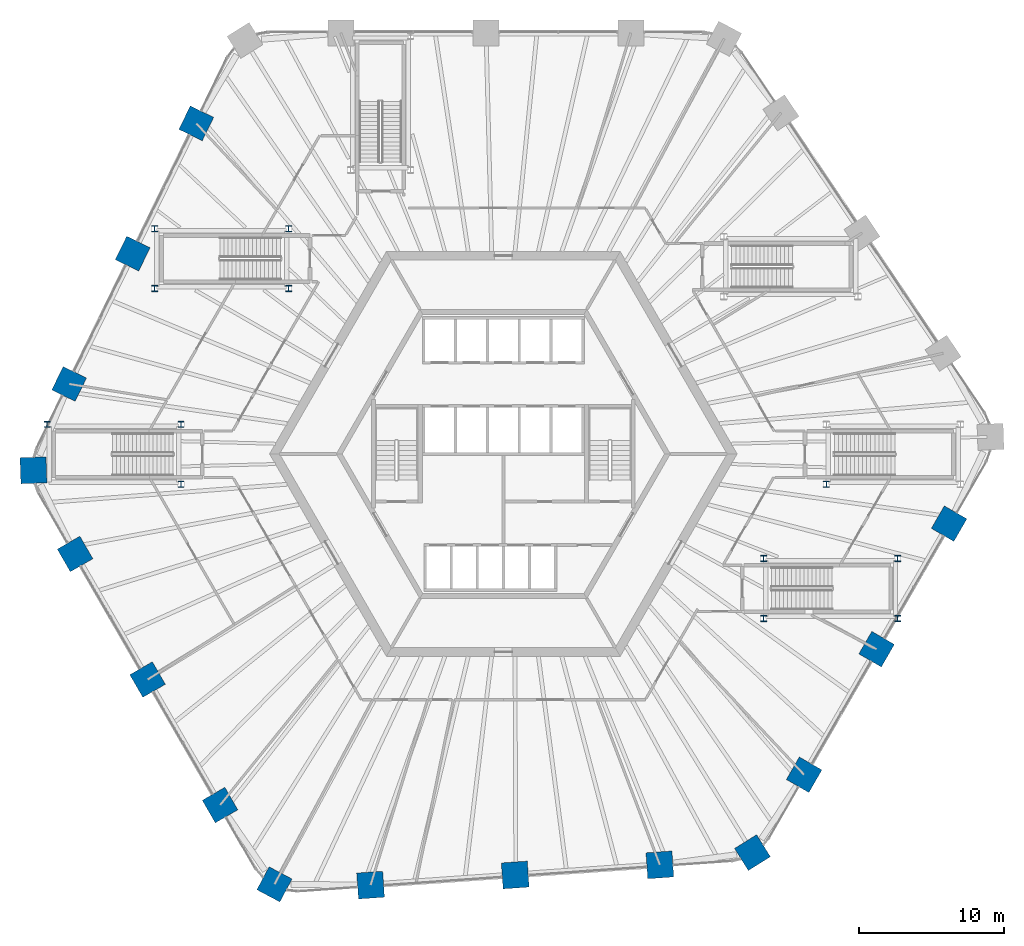
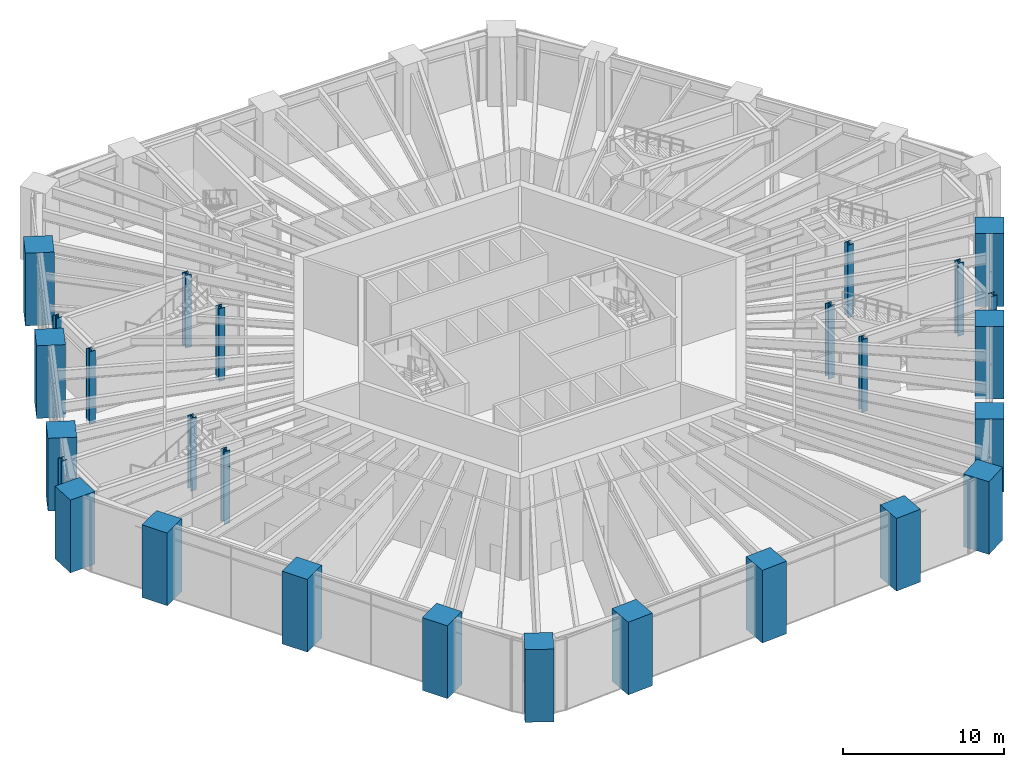
# One storey, part 1 of 30: 27 columns.
"""IFC4 building model written with IfcOpenShell, lengths in metres."""

from ifc_helpers import new_model, si_unit, direction, frame, origin, origin_2d, place, context, subcontext, project, spatial, rectangle, i_section, extrude, material, material_profile, profile_set, type_object, element, save


model = new_model("IFC4")

# Units and contexts
model_context = context("Model", 3, precision=1e-05, world=origin(), true_north=direction((0.0, 1.0)))
body_context = subcontext(model_context, "Body", "Model", "MODEL_VIEW")
ifc_project = project(units=[si_unit("LENGTHUNIT", "METRE"), si_unit("AREAUNIT", "SQUARE_METRE"), si_unit("VOLUMEUNIT", "CUBIC_METRE"), si_unit("PLANEANGLEUNIT", "RADIAN"), si_unit("MASSUNIT", "GRAM", prefix="KILO")], contexts=[model_context])

# Site, building, storey
site_placement = place(None, origin())
site = spatial("IfcSite", under=ifc_project, at=site_placement, CompositionType="ELEMENT")
building_placement = place(site_placement, origin())
building = spatial("IfcBuilding", under=site, at=building_placement, Name="Tarnside Tower", CompositionType="ELEMENT")
storey_placement = place(building_placement, frame((0.0, 0.0, 20.5)))
storey = spatial("IfcBuildingStorey", under=building, at=storey_placement, Name="L03", CompositionType="ELEMENT", Elevation=20.5)

# Columns
ifc_material_1 = material(Name="Concrete C80/95", Category="concrete")
ifc_material_profile_1 = material_profile(ifc_material_1, rectangle(XDim=1.800048828125, YDim=1.800048828125, at=origin_2d()), Name="Mega column 1800x1800")
ifc_profile_set_1 = profile_set([ifc_material_profile_1], Name="Concrete C80/95")
column_type_1 = type_object("IfcColumnType", Name="Mega column 1800 C80/95", PredefinedType="COLUMN", material=ifc_profile_set_1)
for number, where, z_axis, x_axis, name in (
    (1, (-21.22998046875, 22.854248046875, -0.25), (0.0, 0.0, 1.0), (0.438371146789, 0.898794046299, 0.0), "Mega column M05"),
    (2, (-25.6240234375, 13.84521484375, -0.25), (0.0, 0.0, 1.0), (0.438371146789, 0.898794046299, 0.0), "Mega column M06"),
    (3, (-30.01806640625, 4.8359375, -0.25), (0.0, 0.0, 1.0), (0.438371146789, 0.898794046299, 0.0), "Mega column M07"),
    (4, (-32.486083984375, -1.134521484375, -0.25), (0.0, 0.0, 1.0), (-0.034899496703, 0.999390827019, 0.0), "Mega column M08"),
    (5, (-29.607666015625, -6.918212890625, -0.25), (0.0, 0.0, 1.0), (-0.5, 0.866025403784, 0.0), "Mega column M09"),
    (6, (-24.595703125, -15.598876953125, -0.25), (0.0, 0.0, 1.0), (-0.5, 0.866025403784, 0.0), "Mega column M10"),
    (7, (-19.583984375, -24.279541015625, -0.25), (0.0, 0.0, 1.0), (-0.5, 0.866025403784, 0.0), "Mega column M11"),
    (8, (-15.823486328125, -29.759765625, -0.25), (0.0, 0.0, 1.0), (-0.882947592859, 0.469471562786, 0.0), "Mega column M12"),
    (9, (-9.177490234375, -29.812744140625, -0.25), (0.0, 0.0, 1.0), (-0.99756405026, -0.069756473744, 0.0), "Mega column M13"),
    (10, (0.82177734375, -29.113525390625, -0.25), (0.0, 0.0, 1.0), (-0.99756405026, -0.069756473744, 0.0), "Mega column M14"),
    (11, (10.821044921875, -28.414306640625, -0.25), (0.0, 0.0, 1.0), (-0.99756405026, -0.069756473744, 0.0), "Mega column M15"),
    (12, (17.225341796875, -27.56640625, -0.25), (0.0, 0.0, 1.0), (-0.848048096156, -0.529919264233, 0.0), "Mega column M16"),
    (13, (20.794921875, -22.181884765625, -0.25), (0.0, 0.0, 1.0), (-0.5, -0.866025403784, 0.0), "Mega column M17"),
    (14, (25.806884765625, -13.501220703125, -0.25), (0.0, 0.0, 1.0), (-0.5, -0.866025403784, 0.0), "Mega column M18"),
    (15, (30.818603515625, -4.8203125, -0.25), (0.0, 0.0, 1.0), (-0.5, -0.866025403784, 0.0), "Mega column M19"),
):
    element("IfcColumn", number, at=place(storey_placement, frame(where, z_axis=z_axis, x_axis=x_axis)), inside=storey, type_object=column_type_1, Name=name, PredefinedType="COLUMN", context=body_context, shape_type="SweptSolid", body=[
        extrude(rectangle(XDim=1.800048828125, YDim=1.800048828125, at=origin_2d()), origin(), (0.0, 0.0, 1.0), 5.5),
    ])
ifc_material_2 = material(Name="Steel S460", Category="steel")
ifc_material_profile_2 = material_profile(ifc_material_2, i_section(OverallWidth=0.412109375, OverallDepth=0.4365234375, WebThickness=0.035888671875, FlangeThickness=0.05810546875, FilletRadius=0.01513671875, at=origin_2d()), Name="UC 356x406x467")
ifc_profile_set_2 = profile_set([ifc_material_profile_2], Name="Steel S460")
column_type_2 = type_object("IfcColumnType", Name="Steel column UC 356x406x467", PredefinedType="COLUMN", material=ifc_profile_set_2)
for number, where, z_axis, x_axis, name in (
    (16, (-31.54541015625, 2.04541015625, -0.25), (0.0, 0.0, 1.0), (1.0, 0.0, 0.0), "Trimmer column V02.02"),
    (17, (-22.28466796875, 2.04541015625, -0.25), (0.0, 0.0, 1.0), (1.0, 0.0, 0.0), "Trimmer column V02.03"),
    (18, (-22.28466796875, -2.09521484375, -0.25), (0.0, 0.0, 1.0), (1.0, 0.0, 0.0), "Trimmer column V02.04"),
    (19, (22.334716796875, -2.09521484375, -0.25), (0.0, 0.0, 1.0), (1.0, 0.0, 0.0), "Trimmer column V03.03"),
    (20, (27.25537109375, -7.229736328125, -0.25), (0.0, 0.0, 1.0), (1.0, 0.0, 0.0), "Trimmer column V05.01"),
    (21, (27.25537109375, -11.370361328125, -0.25), (0.0, 0.0, 1.0), (1.0, 0.0, 0.0), "Trimmer column V05.02"),
    (22, (17.99462890625, -11.370361328125, -0.25), (0.0, 0.0, 1.0), (1.0, 0.0, 0.0), "Trimmer column V05.03"),
    (23, (17.99462890625, -7.229736328125, -0.25), (0.0, 0.0, 1.0), (1.0, 0.0, 0.0), "Trimmer column V05.04"),
    (24, (-24.105224609375, 11.4296875, -0.25), (0.0, 0.0, 1.0), (1.0, 0.0, 0.0), "Trimmer column V06.01"),
    (25, (-24.105224609375, 15.5703125, -0.25), (0.0, 0.0, 1.0), (1.0, 0.0, 0.0), "Trimmer column V06.02"),
    (26, (-14.8447265625, 15.5703125, -0.25), (0.0, 0.0, 1.0), (1.0, 0.0, 0.0), "Trimmer column V06.03"),
    (27, (-14.8447265625, 11.4296875, -0.25), (0.0, 0.0, 1.0), (1.0, 0.0, 0.0), "Trimmer column V06.04"),
):
    element("IfcColumn", number, at=place(storey_placement, frame(where, z_axis=z_axis, x_axis=x_axis)), inside=storey, type_object=column_type_2, Name=name, PredefinedType="COLUMN", context=body_context, shape_type="SweptSolid", body=[
        extrude(i_section(OverallWidth=0.412109375, OverallDepth=0.4365234375, WebThickness=0.035888671875, FlangeThickness=0.05810546875, FilletRadius=0.01513671875, at=origin_2d()), origin(), (0.0, 0.0, 1.0), 5.5),
    ])

save(model, "model.ifc")
